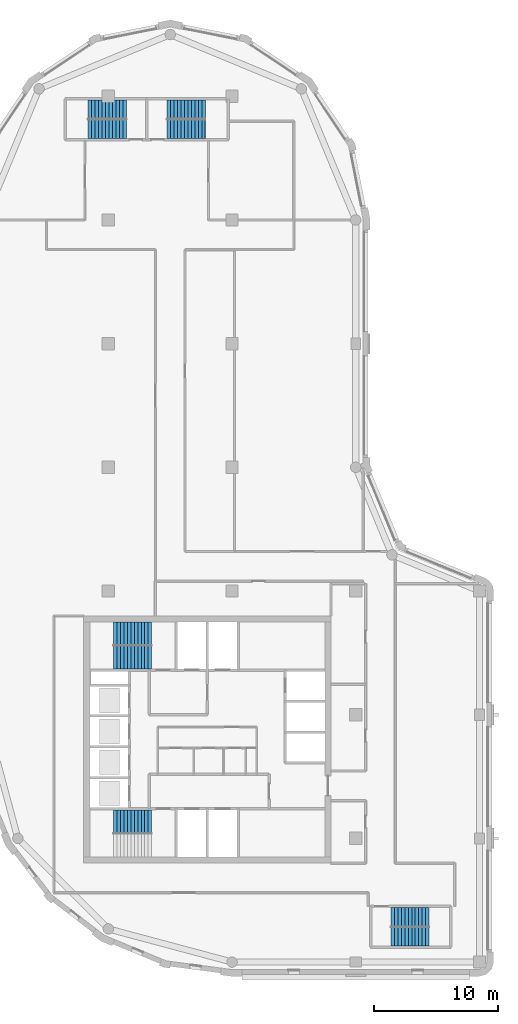
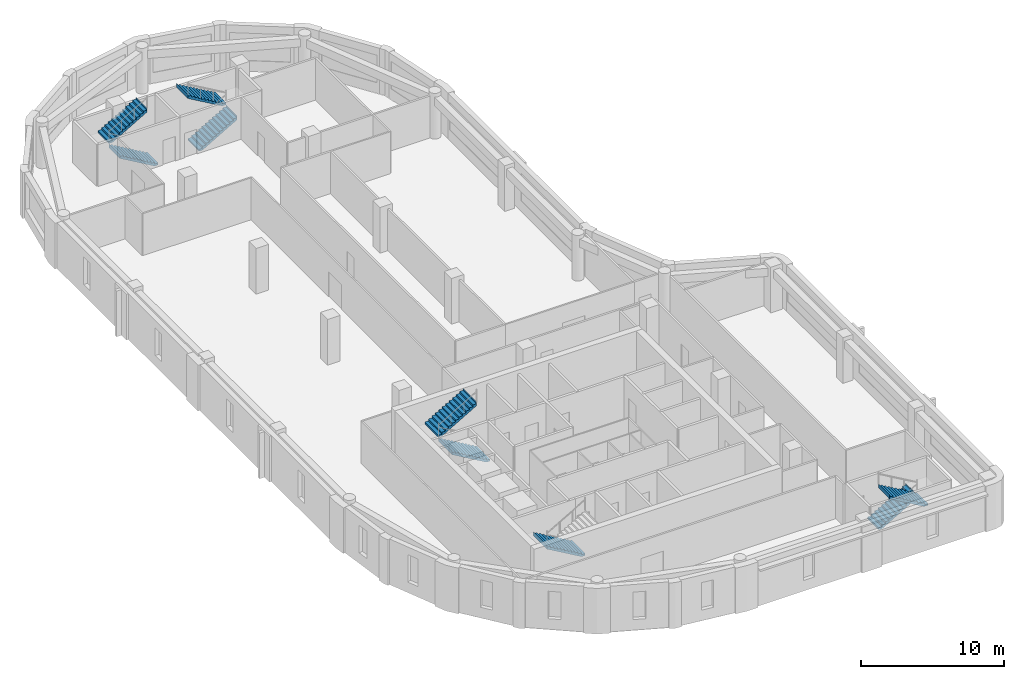
# One storey, part 6 of 8: 9 stair flights, 5 elements without a shape of their own.
"""IFC4 building model written with IfcOpenShell, lengths in metres."""

from ifc_helpers import new_model, si_unit, direction, frame, origin, place, context, subcontext, project, spatial, polyline, outline, extrude, material, type_object, element, aggregate, save


model = new_model("IFC4")

# Units and contexts
model_context = context("Model", 3, precision=1e-05, world=origin(), true_north=direction((0.0, 1.0)))
body_context = subcontext(model_context, "Body", "Model", "MODEL_VIEW")
ifc_project = project(units=[si_unit("LENGTHUNIT", "METRE"), si_unit("AREAUNIT", "SQUARE_METRE"), si_unit("VOLUMEUNIT", "CUBIC_METRE"), si_unit("PLANEANGLEUNIT", "RADIAN"), si_unit("MASSUNIT", "GRAM", prefix="KILO")], contexts=[model_context])

# Site, building, storey
site_placement = place(None, origin())
site = spatial("IfcSite", under=ifc_project, at=site_placement, CompositionType="ELEMENT")
building_placement = place(site_placement, origin())
building = spatial("IfcBuilding", under=site, at=building_placement, Name="Qaws Garden Tower", CompositionType="ELEMENT")
storey_placement = place(building_placement, frame((0.0, 0.0, 337.199951171875)))
storey = spatial("IfcBuildingStorey", under=building, at=storey_placement, Name="L82", CompositionType="ELEMENT", Elevation=337.199951171875)

# Stair, stair flights
ifc_material_1 = material(Name="Concrete C40", Category="concrete")
stair_type_1 = type_object("IfcStairType", Name="Exit stair 1350", PredefinedType="HALF_TURN_STAIR", material=ifc_material_1)
placement = place(storey_placement, origin())
stair_1 = element("IfcStair", 1, at=placement, inside=storey, type_object=stair_type_1, Name="Stair 5", PredefinedType="HALF_TURN_STAIR")
ifc_material_2 = material(Name="Concrete C40", Category="concrete")
stair_flight_type_1 = type_object("IfcStairFlightType", Name="Stair flight 1350", PredefinedType="STRAIGHT", material=ifc_material_2)
stair_flight_1_placement = place(storey_placement, frame((32.85009765625, 3.625, 0.0), z_axis=(0.0, 0.0, 1.0), x_axis=(1.0, 0.0, 0.0)))
stair_flight_1 = element("IfcStairFlight", 2, at=stair_flight_1_placement, type_object=stair_flight_type_1, Name="ST5 flight 1", NumberOfRisers=12, NumberOfTreads=11, PredefinedType="STRAIGHT", RiserHeight=0.1625, TreadLength=0.28, context=body_context, shape_type="SweptSolid", body=[
    extrude(outline(polyline([(-0.0029296875, 0.0), (-0.0029296875, 0.16259765625), (0.0, 0.16259765625), (0.280029296875, 0.16259765625), (0.280029296875, 0.324951171875), (0.56005859375, 0.324951171875), (0.56005859375, 0.487548828125), (0.840087890625, 0.487548828125), (0.840087890625, 0.64990234375), (1.1201171875, 0.64990234375), (1.1201171875, 0.8125), (1.39990234375, 0.8125), (1.39990234375, 0.97509765625), (1.679931640625, 0.97509765625), (1.679931640625, 1.137451171875), (1.9599609375, 1.137451171875), (1.9599609375, 1.300048828125), (2.239990234375, 1.300048828125), (2.239990234375, 1.46240234375), (2.52001953125, 1.46240234375), (2.52001953125, 1.625), (2.800048828125, 1.625), (2.800048828125, 1.78759765625), (3.080078125, 1.78759765625), (3.080078125, 1.949951171875), (3.0830078125, 1.949951171875), (3.0830078125, 1.6142578125), (3.080078125, 1.6142578125), (0.298583984375, 0.0), (-0.0029296875, 0.0)])), frame((0.0, 0.77490234375, 0.0), z_axis=(0.0, -1.0, 0.0), x_axis=(1.0, 0.0, 0.0)), (0.0, 0.0, 1.0), 1.550048828125),
])
stair_flight_2_placement = place(storey_placement, frame((35.929931640625, 2.074951171875, 1.949951171875), z_axis=(0.0, 0.0, 1.0), x_axis=(-1.0, 0.0, 0.0)))
stair_flight_2 = element("IfcStairFlight", 3, at=stair_flight_2_placement, type_object=stair_flight_type_1, Name="ST5 flight 2", NumberOfRisers=12, NumberOfTreads=11, PredefinedType="STRAIGHT", RiserHeight=0.1625, TreadLength=0.28, context=body_context, shape_type="SweptSolid", body=[
    extrude(outline(polyline([(-0.0029296875, 0.0), (-0.0029296875, 0.16259765625), (0.0, 0.16259765625), (0.280029296875, 0.16259765625), (0.280029296875, 0.324951171875), (0.56005859375, 0.324951171875), (0.56005859375, 0.487548828125), (0.840087890625, 0.487548828125), (0.840087890625, 0.64990234375), (1.1201171875, 0.64990234375), (1.1201171875, 0.8125), (1.39990234375, 0.8125), (1.39990234375, 0.97509765625), (1.679931640625, 0.97509765625), (1.679931640625, 1.137451171875), (1.9599609375, 1.137451171875), (1.9599609375, 1.300048828125), (2.239990234375, 1.300048828125), (2.239990234375, 1.46240234375), (2.52001953125, 1.46240234375), (2.52001953125, 1.625), (2.800048828125, 1.625), (2.800048828125, 1.78759765625), (3.080078125, 1.78759765625), (3.080078125, 1.949951171875), (3.0830078125, 1.949951171875), (3.0830078125, 1.6142578125), (3.080078125, 1.6142578125), (0.298583984375, 0.0), (-0.0029296875, 0.0)])), frame((0.0, 0.77490234375, 0.0), z_axis=(0.0, -1.0, 0.0), x_axis=(1.0, 0.0, 0.0)), (0.0, 0.0, 1.0), 1.550048828125),
])
aggregate(stair_1, [stair_flight_1, stair_flight_2])

stair_2 = element("IfcStair", 4, at=placement, inside=storey, type_object=stair_type_1, Name="Stair 6", PredefinedType="HALF_TURN_STAIR")
stair_flight_3_placement = place(storey_placement, frame((11.449951171875, 67.375, 0.0), z_axis=(0.0, 0.0, 1.0), x_axis=(-1.0, 0.0, 0.0)))
stair_flight_3 = element("IfcStairFlight", 5, at=stair_flight_3_placement, type_object=stair_flight_type_1, Name="ST6 flight 1", NumberOfRisers=12, NumberOfTreads=11, PredefinedType="STRAIGHT", RiserHeight=0.1625, TreadLength=0.28, context=body_context, shape_type="SweptSolid", body=[
    extrude(outline(polyline([(-0.0029296875, 0.0), (-0.0029296875, 0.16259765625), (0.0, 0.16259765625), (0.280029296875, 0.16259765625), (0.280029296875, 0.324951171875), (0.56005859375, 0.324951171875), (0.56005859375, 0.487548828125), (0.840087890625, 0.487548828125), (0.840087890625, 0.64990234375), (1.1201171875, 0.64990234375), (1.1201171875, 0.8125), (1.39990234375, 0.8125), (1.39990234375, 0.97509765625), (1.679931640625, 0.97509765625), (1.679931640625, 1.137451171875), (1.9599609375, 1.137451171875), (1.9599609375, 1.300048828125), (2.239990234375, 1.300048828125), (2.239990234375, 1.46240234375), (2.52001953125, 1.46240234375), (2.52001953125, 1.625), (2.800048828125, 1.625), (2.800048828125, 1.78759765625), (3.080078125, 1.78759765625), (3.080078125, 1.949951171875), (3.0830078125, 1.949951171875), (3.0830078125, 1.6142578125), (3.080078125, 1.6142578125), (0.298583984375, 0.0), (-0.0029296875, 0.0)])), frame((0.0, 0.77490234375, 0.0), z_axis=(0.0, -1.0, 0.0), x_axis=(1.0, 0.0, 0.0)), (0.0, 0.0, 1.0), 1.550048828125),
])
stair_flight_4_placement = place(storey_placement, frame((8.3701171875, 68.925048828125, 1.949951171875), z_axis=(0.0, 0.0, 1.0), x_axis=(1.0, 0.0, 0.0)))
stair_flight_4 = element("IfcStairFlight", 6, at=stair_flight_4_placement, type_object=stair_flight_type_1, Name="ST6 flight 2", NumberOfRisers=12, NumberOfTreads=11, PredefinedType="STRAIGHT", RiserHeight=0.1625, TreadLength=0.28, context=body_context, shape_type="SweptSolid", body=[
    extrude(outline(polyline([(-0.0029296875, 0.0), (-0.0029296875, 0.16259765625), (0.0, 0.16259765625), (0.280029296875, 0.16259765625), (0.280029296875, 0.324951171875), (0.56005859375, 0.324951171875), (0.56005859375, 0.487548828125), (0.840087890625, 0.487548828125), (0.840087890625, 0.64990234375), (1.1201171875, 0.64990234375), (1.1201171875, 0.8125), (1.39990234375, 0.8125), (1.39990234375, 0.97509765625), (1.679931640625, 0.97509765625), (1.679931640625, 1.137451171875), (1.9599609375, 1.137451171875), (1.9599609375, 1.300048828125), (2.239990234375, 1.300048828125), (2.239990234375, 1.46240234375), (2.52001953125, 1.46240234375), (2.52001953125, 1.625), (2.800048828125, 1.625), (2.800048828125, 1.78759765625), (3.080078125, 1.78759765625), (3.080078125, 1.949951171875), (3.0830078125, 1.949951171875), (3.0830078125, 1.6142578125), (3.080078125, 1.6142578125), (0.298583984375, 0.0), (-0.0029296875, 0.0)])), frame((0.0, 0.77490234375, 0.0), z_axis=(0.0, -1.0, 0.0), x_axis=(1.0, 0.0, 0.0)), (0.0, 0.0, 1.0), 1.550048828125),
])
aggregate(stair_2, [stair_flight_3, stair_flight_4])

stair_3 = element("IfcStair", 7, at=placement, inside=storey, type_object=stair_type_1, Name="Stair 7", PredefinedType="HALF_TURN_STAIR")
stair_flight_5_placement = place(storey_placement, frame((14.75, 67.375, 0.0), z_axis=(0.0, 0.0, 1.0), x_axis=(1.0, 0.0, 0.0)))
stair_flight_5 = element("IfcStairFlight", 8, at=stair_flight_5_placement, type_object=stair_flight_type_1, Name="ST7 flight 1", NumberOfRisers=12, NumberOfTreads=11, PredefinedType="STRAIGHT", RiserHeight=0.1625, TreadLength=0.28, context=body_context, shape_type="SweptSolid", body=[
    extrude(outline(polyline([(-0.0029296875, 0.0), (-0.0029296875, 0.16259765625), (0.0, 0.16259765625), (0.280029296875, 0.16259765625), (0.280029296875, 0.324951171875), (0.56005859375, 0.324951171875), (0.56005859375, 0.487548828125), (0.840087890625, 0.487548828125), (0.840087890625, 0.64990234375), (1.1201171875, 0.64990234375), (1.1201171875, 0.8125), (1.39990234375, 0.8125), (1.39990234375, 0.97509765625), (1.679931640625, 0.97509765625), (1.679931640625, 1.137451171875), (1.9599609375, 1.137451171875), (1.9599609375, 1.300048828125), (2.239990234375, 1.300048828125), (2.239990234375, 1.46240234375), (2.52001953125, 1.46240234375), (2.52001953125, 1.625), (2.800048828125, 1.625), (2.800048828125, 1.78759765625), (3.080078125, 1.78759765625), (3.080078125, 1.949951171875), (3.0830078125, 1.949951171875), (3.0830078125, 1.6142578125), (3.080078125, 1.6142578125), (0.298583984375, 0.0), (-0.0029296875, 0.0)])), frame((0.0, 0.77490234375, 0.0), z_axis=(0.0, -1.0, 0.0), x_axis=(1.0, 0.0, 0.0)), (0.0, 0.0, 1.0), 1.550048828125),
])
stair_flight_6_placement = place(storey_placement, frame((17.830078125, 68.925048828125, 1.949951171875), z_axis=(0.0, 0.0, 1.0), x_axis=(-1.0, 0.0, 0.0)))
stair_flight_6 = element("IfcStairFlight", 9, at=stair_flight_6_placement, type_object=stair_flight_type_1, Name="ST7 flight 2", NumberOfRisers=12, NumberOfTreads=11, PredefinedType="STRAIGHT", RiserHeight=0.1625, TreadLength=0.28, context=body_context, shape_type="SweptSolid", body=[
    extrude(outline(polyline([(-0.0029296875, 0.0), (-0.0029296875, 0.16259765625), (0.0, 0.16259765625), (0.280029296875, 0.16259765625), (0.280029296875, 0.324951171875), (0.56005859375, 0.324951171875), (0.56005859375, 0.487548828125), (0.840087890625, 0.487548828125), (0.840087890625, 0.64990234375), (1.1201171875, 0.64990234375), (1.1201171875, 0.8125), (1.39990234375, 0.8125), (1.39990234375, 0.97509765625), (1.679931640625, 0.97509765625), (1.679931640625, 1.137451171875), (1.9599609375, 1.137451171875), (1.9599609375, 1.300048828125), (2.239990234375, 1.300048828125), (2.239990234375, 1.46240234375), (2.52001953125, 1.46240234375), (2.52001953125, 1.625), (2.800048828125, 1.625), (2.800048828125, 1.78759765625), (3.080078125, 1.78759765625), (3.080078125, 1.949951171875), (3.0830078125, 1.949951171875), (3.0830078125, 1.6142578125), (3.080078125, 1.6142578125), (0.298583984375, 0.0), (-0.0029296875, 0.0)])), frame((0.0, 0.77490234375, 0.0), z_axis=(0.0, -1.0, 0.0), x_axis=(1.0, 0.0, 0.0)), (0.0, 0.0, 1.0), 1.550048828125),
])
aggregate(stair_3, [stair_flight_5, stair_flight_6])

# Stair, stair flight
ifc_material_3 = material(Name="Concrete C40", Category="concrete")
stair_type_2 = type_object("IfcStairType", Name="Exit stair 1500", PredefinedType="HALF_TURN_STAIR", material=ifc_material_3)
stair_4 = element("IfcStair", 10, at=placement, inside=storey, type_object=stair_type_2, Name="Stair 1", PredefinedType="HALF_TURN_STAIR")
ifc_material_4 = material(Name="Concrete C40", Category="concrete")
stair_flight_type_2 = type_object("IfcStairFlightType", Name="Stair flight 1500", PredefinedType="STRAIGHT", material=ifc_material_4)
stair_flight_7_placement = place(storey_placement, frame((13.5, 11.35009765625, 0.0), z_axis=(0.0, 0.0, 1.0), x_axis=(-1.0, 0.0, 0.0)))
stair_flight_7 = element("IfcStairFlight", 11, at=stair_flight_7_placement, type_object=stair_flight_type_2, Name="ST1 flight 1", NumberOfRisers=12, NumberOfTreads=11, PredefinedType="STRAIGHT", RiserHeight=0.1625, TreadLength=0.28, context=body_context, shape_type="SweptSolid", body=[
    extrude(outline(polyline([(-0.0029296875, 0.0), (-0.0029296875, 0.16259765625), (0.0, 0.16259765625), (0.280029296875, 0.16259765625), (0.280029296875, 0.324951171875), (0.56005859375, 0.324951171875), (0.56005859375, 0.487548828125), (0.840087890625, 0.487548828125), (0.840087890625, 0.64990234375), (1.1201171875, 0.64990234375), (1.1201171875, 0.8125), (1.39990234375, 0.8125), (1.39990234375, 0.97509765625), (1.679931640625, 0.97509765625), (1.679931640625, 1.137451171875), (1.9599609375, 1.137451171875), (1.9599609375, 1.300048828125), (2.239990234375, 1.300048828125), (2.239990234375, 1.46240234375), (2.52001953125, 1.46240234375), (2.52001953125, 1.625), (2.800048828125, 1.625), (2.800048828125, 1.78759765625), (3.080078125, 1.78759765625), (3.080078125, 1.949951171875), (3.0830078125, 1.949951171875), (3.0830078125, 1.6142578125), (3.080078125, 1.6142578125), (0.298583984375, 0.0), (-0.0029296875, 0.0)])), frame((0.0, 0.949951171875, 0.0), z_axis=(0.0, -1.0, 0.0), x_axis=(1.0, 0.0, 0.0)), (0.0, 0.0, 1.0), 1.89990234375),
])
aggregate(stair_4, [stair_flight_7])

# Stair, stair flights
stair_5 = element("IfcStair", 12, at=placement, inside=storey, type_object=stair_type_2, Name="Stair 4", PredefinedType="HALF_TURN_STAIR")
stair_flight_8_placement = place(storey_placement, frame((13.5, 24.64990234375, 0.0), z_axis=(0.0, 0.0, 1.0), x_axis=(-1.0, 0.0, 0.0)))
stair_flight_8 = element("IfcStairFlight", 13, at=stair_flight_8_placement, type_object=stair_flight_type_2, Name="ST4 flight 1", NumberOfRisers=12, NumberOfTreads=11, PredefinedType="STRAIGHT", RiserHeight=0.1625, TreadLength=0.28, context=body_context, shape_type="SweptSolid", body=[
    extrude(outline(polyline([(-0.0029296875, 0.0), (-0.0029296875, 0.16259765625), (0.0, 0.16259765625), (0.280029296875, 0.16259765625), (0.280029296875, 0.324951171875), (0.56005859375, 0.324951171875), (0.56005859375, 0.487548828125), (0.840087890625, 0.487548828125), (0.840087890625, 0.64990234375), (1.1201171875, 0.64990234375), (1.1201171875, 0.8125), (1.39990234375, 0.8125), (1.39990234375, 0.97509765625), (1.679931640625, 0.97509765625), (1.679931640625, 1.137451171875), (1.9599609375, 1.137451171875), (1.9599609375, 1.300048828125), (2.239990234375, 1.300048828125), (2.239990234375, 1.46240234375), (2.52001953125, 1.46240234375), (2.52001953125, 1.625), (2.800048828125, 1.625), (2.800048828125, 1.78759765625), (3.080078125, 1.78759765625), (3.080078125, 1.949951171875), (3.0830078125, 1.949951171875), (3.0830078125, 1.6142578125), (3.080078125, 1.6142578125), (0.298583984375, 0.0), (-0.0029296875, 0.0)])), frame((0.0, 0.94482421875, 0.0), z_axis=(0.0, -1.0, 0.0), x_axis=(1.0, 0.0, 0.0)), (0.0, 0.0, 1.0), 1.889892578125),
])
stair_flight_9_placement = place(storey_placement, frame((10.419921875, 26.550048828125, 1.949951171875), z_axis=(0.0, 0.0, 1.0), x_axis=(1.0, 0.0, 0.0)))
stair_flight_9 = element("IfcStairFlight", 14, at=stair_flight_9_placement, type_object=stair_flight_type_2, Name="ST4 flight 2", NumberOfRisers=12, NumberOfTreads=11, PredefinedType="STRAIGHT", RiserHeight=0.1625, TreadLength=0.28, context=body_context, shape_type="SweptSolid", body=[
    extrude(outline(polyline([(-0.0029296875, 0.0), (-0.0029296875, 0.16259765625), (0.0, 0.16259765625), (0.280029296875, 0.16259765625), (0.280029296875, 0.324951171875), (0.56005859375, 0.324951171875), (0.56005859375, 0.487548828125), (0.840087890625, 0.487548828125), (0.840087890625, 0.64990234375), (1.1201171875, 0.64990234375), (1.1201171875, 0.8125), (1.39990234375, 0.8125), (1.39990234375, 0.97509765625), (1.679931640625, 0.97509765625), (1.679931640625, 1.137451171875), (1.9599609375, 1.137451171875), (1.9599609375, 1.300048828125), (2.239990234375, 1.300048828125), (2.239990234375, 1.46240234375), (2.52001953125, 1.46240234375), (2.52001953125, 1.625), (2.800048828125, 1.625), (2.800048828125, 1.78759765625), (3.080078125, 1.78759765625), (3.080078125, 1.949951171875), (3.0830078125, 1.949951171875), (3.0830078125, 1.6142578125), (3.080078125, 1.6142578125), (0.298583984375, 0.0), (-0.0029296875, 0.0)])), frame((0.0, 0.94482421875, 0.0), z_axis=(0.0, -1.0, 0.0), x_axis=(1.0, 0.0, 0.0)), (0.0, 0.0, 1.0), 1.889892578125),
])
aggregate(stair_5, [stair_flight_8, stair_flight_9])

save(model, "model.ifc")
